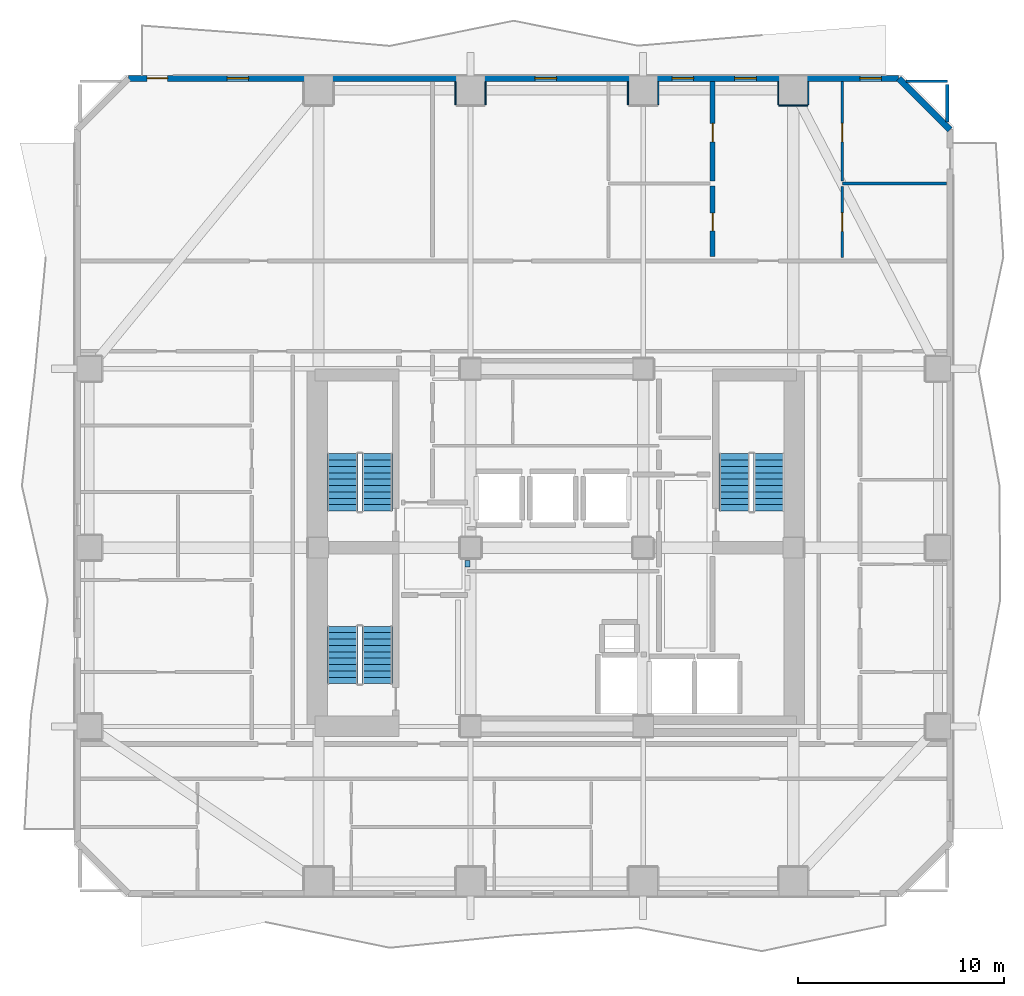
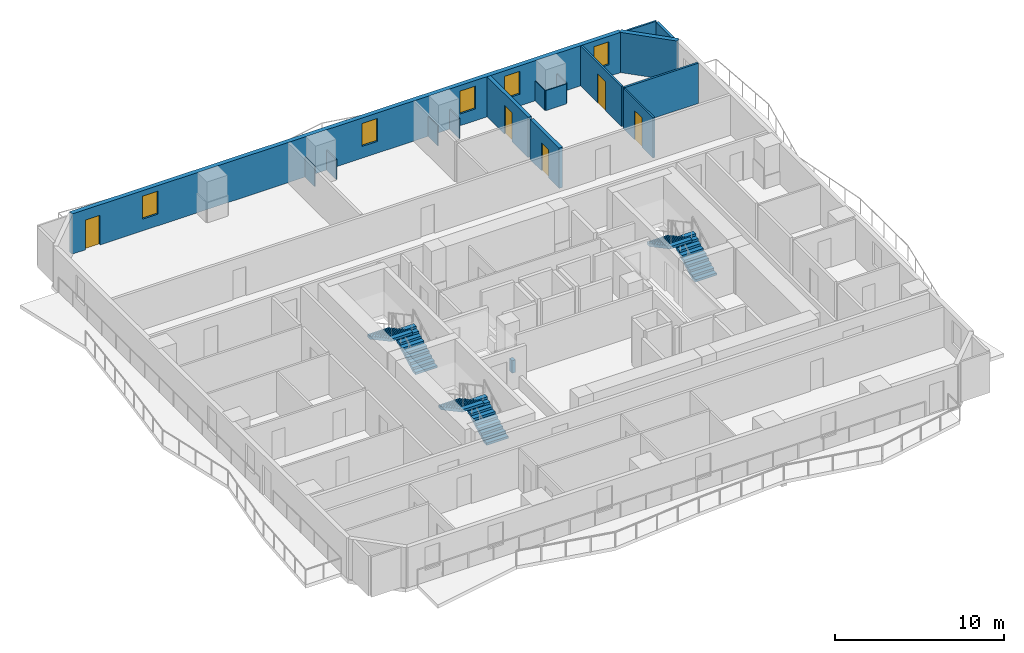
# One storey, part 6 of 10: 17 walls, 6 stair flights, 5 doors, 5 windows, 10 openings, 3 elements without a shape of their own.
"""IFC4 building model written with IfcOpenShell, lengths in metres."""

from ifc_helpers import new_model, si_unit, direction, frame, frame_2d, origin, place, context, subcontext, project, spatial, polyline, rectangle, outline, extrude, material, layer, layer_set, type_object, element, fill, aggregate, save


model = new_model("IFC4")

# Units and contexts
model_context = context("Model", 3, precision=1e-05, world=origin(), true_north=direction((0.0, 1.0)))
body_context = subcontext(model_context, "Body", "Model", "MODEL_VIEW")
ifc_project = project(units=[si_unit("LENGTHUNIT", "METRE"), si_unit("AREAUNIT", "SQUARE_METRE"), si_unit("VOLUMEUNIT", "CUBIC_METRE"), si_unit("PLANEANGLEUNIT", "RADIAN"), si_unit("MASSUNIT", "GRAM", prefix="KILO")], contexts=[model_context])

# Site, building, storey
site_placement = place(None, origin())
site = spatial("IfcSite", under=ifc_project, at=site_placement, CompositionType="ELEMENT")
building_placement = place(site_placement, origin())
building = spatial("IfcBuilding", under=site, at=building_placement, Name="Solanera Arch Residences", CompositionType="ELEMENT")
storey_placement = place(building_placement, frame((0.0, 0.0, 102.760009765625)))
storey = spatial("IfcBuildingStorey", under=building, at=storey_placement, Name="L29", CompositionType="ELEMENT", Elevation=102.760009765625)

# Walls
ifc_material_1 = material(Name="Fire-Rated Gypsum Stud Partition", Category="gypsum")
ifc_layer_1 = layer(ifc_material_1, 0.06005859375)
ifc_layer_set_1 = layer_set([ifc_layer_1], Name="Fire-Rated Gypsum Stud Partition")
wall_type_1 = type_object("IfcWallType", Name="Column Acoustic Furring Wall 60", PredefinedType="PARTITIONING", material=ifc_layer_set_1)
for number, where, z_axis, x_axis, name in (
    (1, (20.068115234375, 52.25, 0.0), (0.0, 0.0, 1.0), (0.0, 1.0, 0.0), "L29 Column Furring 12W"),
    (2, (21.531982421875, 52.25, 0.0), (0.0, 0.0, 1.0), (0.0, 1.0, 0.0), "L29 Column Furring 12E"),
    (3, (28.468017578125, 52.25, 0.0), (0.0, 0.0, 1.0), (0.0, 1.0, 0.0), "L29 Column Furring 14W"),
    (4, (29.931884765625, 52.25, 0.0), (0.0, 0.0, 1.0), (0.0, 1.0, 0.0), "L29 Column Furring 14E"),
):
    element("IfcWall", number, at=place(storey_placement, frame(where, z_axis=z_axis, x_axis=x_axis)), inside=storey, type_object=wall_type_1, Name=name, PredefinedType="PARTITIONING", context=body_context, shape_type="SweptSolid", body=[
        extrude(rectangle(XDim=1.1201171875, YDim=0.06005859375, at=frame_2d((0.56005859375, 0.0))), origin(), (0.0, 0.0, 1.0), 1.449951171875),
    ])
wall_1_placement = place(storey_placement, frame((35.800048828125, 52.218017578125, 0.0), z_axis=(0.0, 0.0, 1.0), x_axis=(1.0, 0.0, 0.0)))
element("IfcWall", 5, at=wall_1_placement, inside=storey, type_object=wall_type_1, Name="L29 Column Furring 16S", PredefinedType="PARTITIONING", context=body_context, shape_type="SweptSolid", body=[
    extrude(rectangle(XDim=1.39990234375, YDim=0.06005859375, at=frame_2d((0.699951171875, 0.0))), origin(), (0.0, 0.0, 1.0), 1.449951171875),
])
for number, where, z_axis, x_axis, name in (
    (6, (35.76806640625, 52.25, 0.0), (0.0, 0.0, 1.0), (0.0, 1.0, 0.0), "L29 Column Furring 16W"),
    (7, (37.23193359375, 52.25, 0.0), (0.0, 0.0, 1.0), (0.0, 1.0, 0.0), "L29 Column Furring 16E"),
):
    element("IfcWall", number, at=place(storey_placement, frame(where, z_axis=z_axis, x_axis=x_axis)), inside=storey, type_object=wall_type_1, Name=name, PredefinedType="PARTITIONING", context=body_context, shape_type="SweptSolid", body=[
        extrude(rectangle(XDim=1.1201171875, YDim=0.06005859375, at=frame_2d((0.56005859375, 0.0))), origin(), (0.0, 0.0, 1.0), 1.449951171875),
    ])
ifc_material_2 = material(Name="Autoclaved Aerated Concrete Blockwork", Category="masonry")
ifc_layer_2 = layer(ifc_material_2, 0.179931640625)
ifc_layer_set_2 = layer_set([ifc_layer_2], Name="Autoclaved Aerated Concrete Blockwork")
wall_type_2 = type_object("IfcWallType", Name="Corridor Fire Partition 180", PredefinedType="PARTITIONING", material=ifc_layer_set_2)
wall_2_placement = place(storey_placement, frame((44.0, 51.39892578125, 0.0), z_axis=(0.0, 0.0, 1.0), x_axis=(0.0, 1.0, 0.0)))
element("IfcWall", 8, at=wall_2_placement, inside=storey, type_object=wall_type_2, Name="L29 Interior Partition V15 2", PredefinedType="PARTITIONING", context=body_context, shape_type="SweptSolid", body=[
    extrude(rectangle(XDim=1.843017578125, YDim=0.179931640625, at=frame_2d((0.92138671875, 0.0))), origin(), (0.0, 0.0, 1.0), 2.89990234375),
])

# Wall, openings, door, windows
ifc_material_3 = material(Name="Precast Concrete C35/45", Category="concrete")
ifc_layer_3 = layer(ifc_material_3, 0.300048828125)
ifc_layer_set_3 = layer_set([ifc_layer_3], Name="Precast Concrete C35/45")
wall_type_3 = type_object("IfcWallType", Name="Exterior Wall Precast Masonry-Frame 300", PredefinedType="STANDARD", material=ifc_layer_set_3)
wall_3_placement = place(storey_placement, frame((4.1650390625, 53.534912109375, 0.0), z_axis=(0.0, 0.0, 1.0), x_axis=(1.0, 0.0, 0.0)))
wall_3 = element("IfcWall", 9, at=wall_3_placement, inside=storey, type_object=wall_type_3, Name="L29 Tower Exterior Precast Masonry-Frame Wall N", PredefinedType="STANDARD", context=body_context, shape_type="SweptSolid", body=[
    extrude(rectangle(XDim=37.469970703125, YDim=0.300048828125, at=frame_2d((18.73486328125, 0.0))), origin(), (0.0, 0.0, 1.0), 2.89990234375),
])
opening_1_placement = place(wall_3_placement, frame((0.90087890625, 0.0, 0.0)))
opening_1 = element("IfcOpeningElement", 10, at=opening_1_placement, cuts=wall_3, Name="Opening DB-01", PredefinedType="OPENING", context=body_context, shape_type="SweptSolid", body=[
    extrude(rectangle(XDim=1.0, YDim=2.14990234375, at=frame_2d((0.5, 1.074951171875))), frame((0.0, 0.159912109375, 0.0), z_axis=(0.0, -1.0, 0.0), x_axis=(1.0, 0.0, 0.0)), (0.0, 0.0, 1.0), 0.32),
])
opening_2_placement = place(wall_3_placement, frame((4.79296875, 0.0, 0.85009765625)))
opening_2 = element("IfcOpeningElement", 11, at=opening_2_placement, cuts=wall_3, Name="Opening W-07", PredefinedType="OPENING", context=body_context, shape_type="SweptSolid", body=[
    extrude(rectangle(XDim=1.050048828125, YDim=1.64990234375, at=frame_2d((0.52490234375, 0.824951171875))), frame((0.0, 0.159912109375, 0.0), z_axis=(0.0, -1.0, 0.0), x_axis=(1.0, 0.0, 0.0)), (0.0, 0.0, 1.0), 0.32),
])
opening_3_placement = place(wall_3_placement, frame((19.77001953125, 0.0, 0.85009765625)))
opening_3 = element("IfcOpeningElement", 12, at=opening_3_placement, cuts=wall_3, Name="Opening W-07", PredefinedType="OPENING", context=body_context, shape_type="SweptSolid", body=[
    extrude(rectangle(XDim=1.050048828125, YDim=1.64990234375, at=frame_2d((0.52490234375, 0.824951171875))), frame((0.0, 0.159912109375, 0.0), z_axis=(0.0, -1.0, 0.0), x_axis=(1.0, 0.0, 0.0)), (0.0, 0.0, 1.0), 0.32),
])
opening_4_placement = place(wall_3_placement, frame((29.491943359375, 0.0, 0.85009765625)))
opening_4 = element("IfcOpeningElement", 13, at=opening_4_placement, cuts=wall_3, Name="Opening W-07", PredefinedType="OPENING", context=body_context, shape_type="SweptSolid", body=[
    extrude(rectangle(XDim=1.050048828125, YDim=1.64990234375, at=frame_2d((0.52490234375, 0.824951171875))), frame((0.0, 0.159912109375, 0.0), z_axis=(0.0, -1.0, 0.0), x_axis=(1.0, 0.0, 0.0)), (0.0, 0.0, 1.0), 0.32),
])
opening_5_placement = place(wall_3_placement, frame((26.44189453125, 0.0, 0.85009765625)))
opening_5 = element("IfcOpeningElement", 14, at=opening_5_placement, cuts=wall_3, Name="Opening W-07", PredefinedType="OPENING", context=body_context, shape_type="SweptSolid", body=[
    extrude(rectangle(XDim=1.050048828125, YDim=1.64990234375, at=frame_2d((0.52490234375, 0.824951171875))), frame((0.0, 0.159912109375, 0.0), z_axis=(0.0, -1.0, 0.0), x_axis=(1.0, 0.0, 0.0)), (0.0, 0.0, 1.0), 0.32),
])
opening_6_placement = place(wall_3_placement, frame((35.577880859375, 0.0, 0.85009765625)))
opening_6 = element("IfcOpeningElement", 15, at=opening_6_placement, cuts=wall_3, Name="Opening W-07", PredefinedType="OPENING", context=body_context, shape_type="SweptSolid", body=[
    extrude(rectangle(XDim=1.050048828125, YDim=1.64990234375, at=frame_2d((0.52490234375, 0.824951171875))), frame((0.0, 0.159912109375, 0.0), z_axis=(0.0, -1.0, 0.0), x_axis=(1.0, 0.0, 0.0)), (0.0, 0.0, 1.0), 0.32),
])
ifc_material_4 = material(Name="Anodised Aluminium Alloy 6063-T6", Category="aluminium")
door_type_1 = type_object("IfcDoorType", Name="Glazed Balcony Swing Door DB-01", OperationType="NOTDEFINED", PredefinedType="DOOR", material=ifc_material_4)
door_1_placement = place(opening_1_placement, origin())
door_1 = element("IfcDoor", 16, at=door_1_placement, inside=storey, type_object=door_type_1, Name="DR-L29-OUT-02", OperationType="SINGLE_SWING_RIGHT", OverallHeight=2.14990234375, OverallWidth=1.0, PredefinedType="DOOR", context=body_context, shape_type="SweptSolid", body=[
    extrude(rectangle(XDim=1.0, YDim=2.14990234375, at=frame_2d((0.5, 1.074951171875))), frame((0.0, 0.02490234375, 0.0), z_axis=(0.0, -1.0, 0.0), x_axis=(1.0, 0.0, 0.0)), (0.0, 0.0, 1.0), 0.050048828125),
])
fill(opening_1, door_1)
ifc_material_5 = material(Name="Double Glazed Low-E Laminated Glass", Category="glass")
window_type = type_object("IfcWindowType", Name="Punched Window W-07", PartitioningType="SINGLE_PANEL", PredefinedType="WINDOW", material=ifc_material_5)
window_1_placement = place(opening_2_placement, origin())
window_1 = element("IfcWindow", 17, at=window_1_placement, inside=storey, type_object=window_type, Name="L29 AMN-MTG1 Punched Window", OverallHeight=1.64990234375, OverallWidth=1.050048828125, PartitioningType="SINGLE_PANEL", PredefinedType="WINDOW", context=body_context, shape_type="SweptSolid", body=[
    extrude(rectangle(XDim=1.050048828125, YDim=1.64990234375, at=frame_2d((0.52490234375, 0.824951171875))), frame((0.0, 0.030029296875, 0.0), z_axis=(0.0, -1.0, 0.0), x_axis=(1.0, 0.0, 0.0)), (0.0, 0.0, 1.0), 0.06005859375),
])
fill(opening_2, window_1)
window_2_placement = place(opening_3_placement, origin())
window_2 = element("IfcWindow", 18, at=window_2_placement, inside=storey, type_object=window_type, Name="L29 AMN-MTG2 Punched Window", OverallHeight=1.64990234375, OverallWidth=1.050048828125, PartitioningType="SINGLE_PANEL", PredefinedType="WINDOW", context=body_context, shape_type="SweptSolid", body=[
    extrude(rectangle(XDim=1.050048828125, YDim=1.64990234375, at=frame_2d((0.52490234375, 0.824951171875))), frame((0.0, 0.030029296875, 0.0), z_axis=(0.0, -1.0, 0.0), x_axis=(1.0, 0.0, 0.0)), (0.0, 0.0, 1.0), 0.06005859375),
])
fill(opening_3, window_2)
window_3_placement = place(opening_4_placement, origin())
window_3 = element("IfcWindow", 19, at=window_3_placement, inside=storey, type_object=window_type, Name="L29 2902-LIV Punched Window", OverallHeight=1.64990234375, OverallWidth=1.050048828125, PartitioningType="SINGLE_PANEL", PredefinedType="WINDOW", context=body_context, shape_type="SweptSolid", body=[
    extrude(rectangle(XDim=1.050048828125, YDim=1.64990234375, at=frame_2d((0.52490234375, 0.824951171875))), frame((0.0, 0.030029296875, 0.0), z_axis=(0.0, -1.0, 0.0), x_axis=(1.0, 0.0, 0.0)), (0.0, 0.0, 1.0), 0.06005859375),
])
fill(opening_4, window_3)
window_4_placement = place(opening_5_placement, origin())
window_4 = element("IfcWindow", 20, at=window_4_placement, inside=storey, type_object=window_type, Name="L29 2902-BR1 Punched Window", OverallHeight=1.64990234375, OverallWidth=1.050048828125, PartitioningType="SINGLE_PANEL", PredefinedType="WINDOW", context=body_context, shape_type="SweptSolid", body=[
    extrude(rectangle(XDim=1.050048828125, YDim=1.64990234375, at=frame_2d((0.52490234375, 0.824951171875))), frame((0.0, 0.030029296875, 0.0), z_axis=(0.0, -1.0, 0.0), x_axis=(1.0, 0.0, 0.0)), (0.0, 0.0, 1.0), 0.06005859375),
])
fill(opening_5, window_4)
window_5_placement = place(opening_6_placement, origin())
window_5 = element("IfcWindow", 21, at=window_5_placement, inside=storey, type_object=window_type, Name="L29 2902-BR2 Punched Window", OverallHeight=1.64990234375, OverallWidth=1.050048828125, PartitioningType="SINGLE_PANEL", PredefinedType="WINDOW", context=body_context, shape_type="SweptSolid", body=[
    extrude(rectangle(XDim=1.050048828125, YDim=1.64990234375, at=frame_2d((0.52490234375, 0.824951171875))), frame((0.0, 0.030029296875, 0.0), z_axis=(0.0, -1.0, 0.0), x_axis=(1.0, 0.0, 0.0)), (0.0, 0.0, 1.0), 0.06005859375),
])
fill(opening_6, window_5)

# Walls
wall_4_placement = place(storey_placement, frame((41.635009765625, 53.534912109375, 0.0), z_axis=(0.0, 0.0, 1.0), x_axis=(0.707106781187, -0.707106781187, 0.0)))
element("IfcWall", 22, at=wall_4_placement, inside=storey, type_object=wall_type_3, Name="L29 Tower Exterior Precast Masonry-Frame Wall CH3", PredefinedType="STANDARD", context=body_context, shape_type="SweptSolid", body=[
    extrude(rectangle(XDim=3.53564453125, YDim=0.300048828125, at=frame_2d((1.767822265625, 0.0))), origin(), (0.0, 0.0, 1.0), 2.89990234375),
])
ifc_material_6 = material(Name="Autoclaved Aerated Concrete Blockwork", Category="masonry")
ifc_layer_4 = layer(ifc_material_6, 0.239990234375)
ifc_layer_set_4 = layer_set([ifc_layer_4], Name="Autoclaved Aerated Concrete Blockwork")
wall_type_4 = type_object("IfcWallType", Name="Shaft Wall Fire-Rated 240", PredefinedType="PARTITIONING", material=ifc_layer_set_4)
wall_5_placement = place(storey_placement, frame((20.64990234375, 29.76806640625, 0.0), z_axis=(0.0, 0.0, 1.0), x_axis=(0.0, 1.0, 0.0)))
element("IfcWall", 23, at=wall_5_placement, inside=storey, type_object=wall_type_4, Name="L29 Interior Partition V3 2", PredefinedType="PARTITIONING", context=body_context, shape_type="SweptSolid", body=[
    extrude(rectangle(XDim=0.300048828125, YDim=0.239990234375, at=frame_2d((0.14990234375, 0.0))), origin(), (0.0, 0.0, 1.0), 0.905029296875),
])

# Wall, opening, door
wall_6_placement = place(storey_placement, frame((32.580078125, 44.867919921875, 0.0), z_axis=(0.0, 0.0, 1.0), x_axis=(0.0, 1.0, 0.0)))
wall_6 = element("IfcWall", 24, at=wall_6_placement, inside=storey, type_object=wall_type_4, Name="L29 Interior Partition V6 1", PredefinedType="PARTITIONING", context=body_context, shape_type="SweptSolid", body=[
    extrude(rectangle(XDim=3.421142578125, YDim=0.239990234375, at=frame_2d((1.71044921875, 0.0))), origin(), (0.0, 0.0, 1.0), 2.89990234375),
])
opening_7_placement = place(wall_6_placement, frame((1.24609375, 0.0, 0.0)))
opening_7 = element("IfcOpeningElement", 25, at=opening_7_placement, cuts=wall_6, Name="Opening DI-05", PredefinedType="OPENING", context=body_context, shape_type="SweptSolid", body=[
    extrude(rectangle(XDim=0.860107421875, YDim=2.02001953125, at=frame_2d((0.43017578125, 1.010009765625))), frame((0.0, 0.1298828125, 0.0), z_axis=(0.0, -1.0, 0.0), x_axis=(1.0, 0.0, 0.0)), (0.0, 0.0, 1.0), 0.26),
])
ifc_material_7 = material(Name="Fire-Rated Architectural Hardwood", Category="wood")
door_type_2 = type_object("IfcDoorType", Name="Bathroom Swing Door DI-05", OperationType="NOTDEFINED", PredefinedType="DOOR", material=ifc_material_7)
door_2_placement = place(opening_7_placement, origin())
door_2 = element("IfcDoor", 26, at=door_2_placement, inside=storey, type_object=door_type_2, Name="DR-L29-IN-027", OperationType="SINGLE_SWING_RIGHT", OverallHeight=2.02001953125, OverallWidth=0.860107421875, PredefinedType="DOOR", context=body_context, shape_type="SweptSolid", body=[
    extrude(rectangle(XDim=0.860107421875, YDim=2.02001953125, at=frame_2d((0.43017578125, 1.010009765625))), frame((0.0, 0.02490234375, 0.0), z_axis=(0.0, -1.0, 0.0), x_axis=(1.0, 0.0, 0.0)), (0.0, 0.0, 1.0), 0.050048828125),
])
fill(opening_7, door_2)

wall_7_placement = place(storey_placement, frame((32.580078125, 48.537109375, 0.0), z_axis=(0.0, 0.0, 1.0), x_axis=(0.0, 1.0, 0.0)))
wall_7 = element("IfcWall", 27, at=wall_7_placement, inside=storey, type_object=wall_type_4, Name="L29 Interior Partition V6 2", PredefinedType="PARTITIONING", context=body_context, shape_type="SweptSolid", body=[
    extrude(rectangle(XDim=4.8359375, YDim=0.239990234375, at=frame_2d((2.41796875, 0.0))), origin(), (0.0, 0.0, 1.0), 2.89990234375),
])
opening_8_placement = place(wall_7_placement, frame((1.906982421875, 0.0, 0.0)))
opening_8 = element("IfcOpeningElement", 28, at=opening_8_placement, cuts=wall_7, Name="Opening DI-03", PredefinedType="OPENING", context=body_context, shape_type="SweptSolid", body=[
    extrude(rectangle(XDim=0.89990234375, YDim=2.10009765625, at=frame_2d((0.449951171875, 1.050048828125))), frame((0.0, 0.1298828125, 0.0), z_axis=(0.0, -1.0, 0.0), x_axis=(1.0, 0.0, 0.0)), (0.0, 0.0, 1.0), 0.26),
])
ifc_material_8 = material(Name="Fire-Rated Architectural Hardwood", Category="wood")
door_type_3 = type_object("IfcDoorType", Name="Bedroom Swing Door DI-03", OperationType="NOTDEFINED", PredefinedType="DOOR", material=ifc_material_8)
door_3_placement = place(opening_8_placement, origin())
door_3 = element("IfcDoor", 29, at=door_3_placement, inside=storey, type_object=door_type_3, Name="DR-L29-IN-028", OperationType="SINGLE_SWING_LEFT", OverallHeight=2.10009765625, OverallWidth=0.89990234375, PredefinedType="DOOR", context=body_context, shape_type="SweptSolid", body=[
    extrude(rectangle(XDim=0.89990234375, YDim=2.10009765625, at=frame_2d((0.449951171875, 1.050048828125))), frame((0.0, 0.02490234375, 0.0), z_axis=(0.0, -1.0, 0.0), x_axis=(1.0, 0.0, 0.0)), (0.0, 0.0, 1.0), 0.050048828125),
])
fill(opening_8, door_3)

# Wall
ifc_material_9 = material(Name="Fire-Rated Gypsum Stud Partition", Category="gypsum")
ifc_layer_5 = layer(ifc_material_9, 0.1201171875)
ifc_layer_set_5 = layer_set([ifc_layer_5], Name="Fire-Rated Gypsum Stud Partition")
wall_type_5 = type_object("IfcWallType", Name="Unit Drywall Partition 120", PredefinedType="PARTITIONING", material=ifc_layer_set_5)
wall_8_placement = place(storey_placement, frame((41.9990234375, 53.39990234375, 0.0), z_axis=(0.0, 0.0, 1.0), x_axis=(1.0, 0.0, 0.0)))
element("IfcWall", 30, at=wall_8_placement, inside=storey, type_object=wall_type_5, Name="L29 Interior Partition H26 2", PredefinedType="PARTITIONING", context=body_context, shape_type="SweptSolid", body=[
    extrude(rectangle(XDim=2.0009765625, YDim=0.1201171875, at=frame_2d((1.00048828125, 0.0))), origin(), (0.0, 0.0, 1.0), 2.89990234375),
])

# Wall, opening, door
wall_9_placement = place(storey_placement, frame((38.89111328125, 44.80810546875, 0.0), z_axis=(0.0, 0.0, 1.0), x_axis=(0.0, 1.0, 0.0)))
wall_9 = element("IfcWall", 31, at=wall_9_placement, inside=storey, type_object=wall_type_5, Name="L29 Interior Partition V23 1", PredefinedType="PARTITIONING", context=body_context, shape_type="SweptSolid", body=[
    extrude(rectangle(XDim=3.466796875, YDim=0.1201171875, at=frame_2d((1.7333984375, 0.0))), origin(), (0.0, 0.0, 1.0), 2.89990234375),
])
opening_9_placement = place(wall_9_placement, frame((1.285888671875, 0.0, 0.0)))
opening_9 = element("IfcOpeningElement", 32, at=opening_9_placement, cuts=wall_9, Name="Opening DI-02", PredefinedType="OPENING", context=body_context, shape_type="SweptSolid", body=[
    extrude(rectangle(XDim=0.89990234375, YDim=2.10009765625, at=frame_2d((0.449951171875, 1.050048828125))), frame((0.0, 0.070068359375, 0.0), z_axis=(0.0, -1.0, 0.0), x_axis=(1.0, 0.0, 0.0)), (0.0, 0.0, 1.0), 0.1401),
])
ifc_material_10 = material(Name="Fire-Rated Architectural Hardwood", Category="wood")
door_type_4 = type_object("IfcDoorType", Name="Suite Room Swing Door DI-02", OperationType="NOTDEFINED", PredefinedType="DOOR", material=ifc_material_10)
door_4_placement = place(opening_9_placement, origin())
door_4 = element("IfcDoor", 33, at=door_4_placement, inside=storey, type_object=door_type_4, Name="DR-L29-IN-029", OperationType="SINGLE_SWING_RIGHT", OverallHeight=2.10009765625, OverallWidth=0.89990234375, PredefinedType="DOOR", context=body_context, shape_type="SweptSolid", body=[
    extrude(rectangle(XDim=0.89990234375, YDim=2.10009765625, at=frame_2d((0.449951171875, 1.050048828125))), frame((0.0, 0.02490234375, 0.0), z_axis=(0.0, -1.0, 0.0), x_axis=(1.0, 0.0, 0.0)), (0.0, 0.0, 1.0), 0.050048828125),
])
fill(opening_9, door_4)

wall_10_placement = place(storey_placement, frame((38.89111328125, 48.551025390625, 0.0), z_axis=(0.0, 0.0, 1.0), x_axis=(0.0, 1.0, 0.0)))
wall_10 = element("IfcWall", 34, at=wall_10_placement, inside=storey, type_object=wall_type_5, Name="L29 Interior Partition V23 2", PredefinedType="PARTITIONING", context=body_context, shape_type="SweptSolid", body=[
    extrude(rectangle(XDim=4.822021484375, YDim=0.1201171875, at=frame_2d((2.4111328125, 0.0))), origin(), (0.0, 0.0, 1.0), 2.89990234375),
])
opening_10_placement = place(wall_10_placement, frame((1.89306640625, 0.0, 0.0)))
opening_10 = element("IfcOpeningElement", 35, at=opening_10_placement, cuts=wall_10, Name="Opening DI-03", PredefinedType="OPENING", context=body_context, shape_type="SweptSolid", body=[
    extrude(rectangle(XDim=0.89990234375, YDim=2.10009765625, at=frame_2d((0.449951171875, 1.050048828125))), frame((0.0, 0.070068359375, 0.0), z_axis=(0.0, -1.0, 0.0), x_axis=(1.0, 0.0, 0.0)), (0.0, 0.0, 1.0), 0.1401),
])
door_5_placement = place(opening_10_placement, origin())
door_5 = element("IfcDoor", 36, at=door_5_placement, inside=storey, type_object=door_type_3, Name="DR-L29-IN-030", OperationType="SINGLE_SWING_LEFT", OverallHeight=2.10009765625, OverallWidth=0.89990234375, PredefinedType="DOOR", context=body_context, shape_type="SweptSolid", body=[
    extrude(rectangle(XDim=0.89990234375, YDim=2.10009765625, at=frame_2d((0.449951171875, 1.050048828125))), frame((0.0, 0.02490234375, 0.0), z_axis=(0.0, -1.0, 0.0), x_axis=(1.0, 0.0, 0.0)), (0.0, 0.0, 1.0), 0.050048828125),
])
fill(opening_10, door_5)

# Wall
ifc_material_11 = material(Name="Autoclaved Aerated Concrete Blockwork", Category="masonry")
ifc_layer_6 = layer(ifc_material_11, 0.139892578125)
ifc_layer_set_6 = layer_set([ifc_layer_6], Name="Autoclaved Aerated Concrete Blockwork")
wall_type_6 = type_object("IfcWallType", Name="Wet-Room Partition 140", PredefinedType="PARTITIONING", material=ifc_layer_set_6)
wall_11_placement = place(storey_placement, frame((38.89111328125, 48.4130859375, 0.0), z_axis=(0.0, 0.0, 1.0), x_axis=(1.0, 0.0, 0.0)))
element("IfcWall", 37, at=wall_11_placement, inside=storey, type_object=wall_type_6, Name="L29 Interior Partition H20", PredefinedType="PARTITIONING", context=body_context, shape_type="SweptSolid", body=[
    extrude(rectangle(XDim=5.081787109375, YDim=0.139892578125, at=frame_2d((2.541015625, 0.0))), origin(), (0.0, 0.0, 1.0), 2.89990234375),
])

# Stair, stair flights
ifc_material_12 = material(Name="Concrete C40/50 (f'c = 45 MPa)", Category="concrete")
stair_type = type_object("IfcStairType", Name="Tower Dogleg Exit Stair 1480", PredefinedType="HALF_TURN_STAIR", material=ifc_material_12)
stair_1_placement = place(storey_placement, origin())
stair_1 = element("IfcStair", 38, at=stair_1_placement, inside=storey, type_object=stair_type, Name="L29 Tower Core Exit Stair 1", PredefinedType="HALF_TURN_STAIR")
ifc_material_13 = material(Name="Concrete C40/50 (f'c = 45 MPa)", Category="concrete")
stair_flight_type = type_object("IfcStairFlightType", Name="Tower Precast Stair Flight 1480", PredefinedType="STRAIGHT", material=ifc_material_13)
stair_flight_1_placement = place(storey_placement, frame((16.260009765625, 32.47998046875, 0.0), z_axis=(0.0, 0.0, 1.0), x_axis=(0.0, 1.0, 0.0)))
stair_flight_1 = element("IfcStairFlight", 39, at=stair_flight_1_placement, type_object=stair_flight_type, Name="ST-T1 flight 1", NumberOfRisers=10, NumberOfTreads=9, PredefinedType="STRAIGHT", RiserHeight=0.166, TreadLength=0.31, context=body_context, shape_type="SweptSolid", body=[
    extrude(outline(polyline([(0.0, 0.0), (0.0, 0.166015625), (0.31005859375, 0.166015625), (0.31005859375, 0.33203125), (0.6201171875, 0.33203125), (0.6201171875, 0.498046875), (0.929931640625, 0.498046875), (0.929931640625, 0.6640625), (1.239990234375, 0.6640625), (1.239990234375, 0.830078125), (1.550048828125, 0.830078125), (1.550048828125, 0.99609375), (1.860107421875, 0.99609375), (1.860107421875, 1.162109375), (2.169921875, 1.162109375), (2.169921875, 1.327880859375), (2.47998046875, 1.327880859375), (2.47998046875, 1.493896484375), (2.7900390625, 1.493896484375), (2.7900390625, 1.659912109375), (2.7900390625, 1.323974609375), (0.317626953125, 0.0), (0.0, 0.0)])), frame((0.0, 0.739990234375, 0.0), z_axis=(0.0, -1.0, 0.0), x_axis=(1.0, 0.0, 0.0)), (0.0, 0.0, 1.0), 1.47998046875),
])
stair_flight_2_placement = place(storey_placement, frame((14.580078125, 35.27001953125, 1.659912109375), z_axis=(0.0, 0.0, 1.0), x_axis=(0.0, -1.0, 0.0)))
stair_flight_2 = element("IfcStairFlight", 40, at=stair_flight_2_placement, type_object=stair_flight_type, Name="ST-T1 flight 2", NumberOfRisers=10, NumberOfTreads=9, PredefinedType="STRAIGHT", RiserHeight=0.166, TreadLength=0.31, context=body_context, shape_type="SweptSolid", body=[
    extrude(outline(polyline([(0.0, 0.0), (0.0, 0.166015625), (0.31005859375, 0.166015625), (0.31005859375, 0.33203125), (0.6201171875, 0.33203125), (0.6201171875, 0.498046875), (0.929931640625, 0.498046875), (0.929931640625, 0.6640625), (1.239990234375, 0.6640625), (1.239990234375, 0.830078125), (1.550048828125, 0.830078125), (1.550048828125, 0.99609375), (1.860107421875, 0.99609375), (1.860107421875, 1.162109375), (2.169921875, 1.162109375), (2.169921875, 1.327880859375), (2.47998046875, 1.327880859375), (2.47998046875, 1.493896484375), (2.7900390625, 1.493896484375), (2.7900390625, 1.659912109375), (2.7900390625, 1.323974609375), (0.317626953125, 0.0), (0.0, 0.0)])), frame((0.0, 0.739990234375, 0.0), z_axis=(0.0, -1.0, 0.0), x_axis=(1.0, 0.0, 0.0)), (0.0, 0.0, 1.0), 1.47998046875),
])
aggregate(stair_1, [stair_flight_1, stair_flight_2])

stair_2_placement = place(storey_placement, origin())
stair_2 = element("IfcStair", 41, at=stair_2_placement, inside=storey, type_object=stair_type, Name="L29 Tower Core Exit Stair 2", PredefinedType="HALF_TURN_STAIR")
stair_flight_3_placement = place(storey_placement, frame((35.320068359375, 32.47998046875, 0.0), z_axis=(0.0, 0.0, 1.0), x_axis=(0.0, 1.0, 0.0)))
stair_flight_3 = element("IfcStairFlight", 42, at=stair_flight_3_placement, type_object=stair_flight_type, Name="ST-T2 flight 1", NumberOfRisers=10, NumberOfTreads=9, PredefinedType="STRAIGHT", RiserHeight=0.166, TreadLength=0.31, context=body_context, shape_type="SweptSolid", body=[
    extrude(outline(polyline([(0.0, 0.0), (0.0, 0.166015625), (0.31005859375, 0.166015625), (0.31005859375, 0.33203125), (0.6201171875, 0.33203125), (0.6201171875, 0.498046875), (0.929931640625, 0.498046875), (0.929931640625, 0.6640625), (1.239990234375, 0.6640625), (1.239990234375, 0.830078125), (1.550048828125, 0.830078125), (1.550048828125, 0.99609375), (1.860107421875, 0.99609375), (1.860107421875, 1.162109375), (2.169921875, 1.162109375), (2.169921875, 1.327880859375), (2.47998046875, 1.327880859375), (2.47998046875, 1.493896484375), (2.7900390625, 1.493896484375), (2.7900390625, 1.659912109375), (2.7900390625, 1.323974609375), (0.317626953125, 0.0), (0.0, 0.0)])), frame((0.0, 0.739990234375, 0.0), z_axis=(0.0, -1.0, 0.0), x_axis=(1.0, 0.0, 0.0)), (0.0, 0.0, 1.0), 1.47998046875),
])
stair_flight_4_placement = place(storey_placement, frame((33.639892578125, 35.27001953125, 1.659912109375), z_axis=(0.0, 0.0, 1.0), x_axis=(0.0, -1.0, 0.0)))
stair_flight_4 = element("IfcStairFlight", 43, at=stair_flight_4_placement, type_object=stair_flight_type, Name="ST-T2 flight 2", NumberOfRisers=10, NumberOfTreads=9, PredefinedType="STRAIGHT", RiserHeight=0.166, TreadLength=0.31, context=body_context, shape_type="SweptSolid", body=[
    extrude(outline(polyline([(0.0, 0.0), (0.0, 0.166015625), (0.31005859375, 0.166015625), (0.31005859375, 0.33203125), (0.6201171875, 0.33203125), (0.6201171875, 0.498046875), (0.929931640625, 0.498046875), (0.929931640625, 0.6640625), (1.239990234375, 0.6640625), (1.239990234375, 0.830078125), (1.550048828125, 0.830078125), (1.550048828125, 0.99609375), (1.860107421875, 0.99609375), (1.860107421875, 1.162109375), (2.169921875, 1.162109375), (2.169921875, 1.327880859375), (2.47998046875, 1.327880859375), (2.47998046875, 1.493896484375), (2.7900390625, 1.493896484375), (2.7900390625, 1.659912109375), (2.7900390625, 1.323974609375), (0.317626953125, 0.0), (0.0, 0.0)])), frame((0.0, 0.739990234375, 0.0), z_axis=(0.0, -1.0, 0.0), x_axis=(1.0, 0.0, 0.0)), (0.0, 0.0, 1.0), 1.47998046875),
])
aggregate(stair_2, [stair_flight_3, stair_flight_4])

stair_3_placement = place(storey_placement, origin())
stair_3 = element("IfcStair", 44, at=stair_3_placement, inside=storey, type_object=stair_type, Name="L29 Tower Core Exit Stair 3", PredefinedType="HALF_TURN_STAIR")
stair_flight_5_placement = place(storey_placement, frame((16.260009765625, 24.080078125, 0.0), z_axis=(0.0, 0.0, 1.0), x_axis=(0.0, 1.0, 0.0)))
stair_flight_5 = element("IfcStairFlight", 45, at=stair_flight_5_placement, type_object=stair_flight_type, Name="ST-T3 flight 1", NumberOfRisers=10, NumberOfTreads=9, PredefinedType="STRAIGHT", RiserHeight=0.166, TreadLength=0.31, context=body_context, shape_type="SweptSolid", body=[
    extrude(outline(polyline([(0.0, 0.0), (0.0, 0.166015625), (0.31005859375, 0.166015625), (0.31005859375, 0.33203125), (0.6201171875, 0.33203125), (0.6201171875, 0.498046875), (0.929931640625, 0.498046875), (0.929931640625, 0.6640625), (1.239990234375, 0.6640625), (1.239990234375, 0.830078125), (1.550048828125, 0.830078125), (1.550048828125, 0.99609375), (1.860107421875, 0.99609375), (1.860107421875, 1.162109375), (2.169921875, 1.162109375), (2.169921875, 1.327880859375), (2.47998046875, 1.327880859375), (2.47998046875, 1.493896484375), (2.7900390625, 1.493896484375), (2.7900390625, 1.659912109375), (2.7900390625, 1.323974609375), (0.317626953125, 0.0), (0.0, 0.0)])), frame((0.0, 0.739990234375, 0.0), z_axis=(0.0, -1.0, 0.0), x_axis=(1.0, 0.0, 0.0)), (0.0, 0.0, 1.0), 1.47998046875),
])
stair_flight_6_placement = place(storey_placement, frame((14.580078125, 26.8701171875, 1.659912109375), z_axis=(0.0, 0.0, 1.0), x_axis=(0.0, -1.0, 0.0)))
stair_flight_6 = element("IfcStairFlight", 46, at=stair_flight_6_placement, type_object=stair_flight_type, Name="ST-T3 flight 2", NumberOfRisers=10, NumberOfTreads=9, PredefinedType="STRAIGHT", RiserHeight=0.166, TreadLength=0.31, context=body_context, shape_type="SweptSolid", body=[
    extrude(outline(polyline([(0.0, 0.0), (0.0, 0.166015625), (0.31005859375, 0.166015625), (0.31005859375, 0.33203125), (0.6201171875, 0.33203125), (0.6201171875, 0.498046875), (0.929931640625, 0.498046875), (0.929931640625, 0.6640625), (1.239990234375, 0.6640625), (1.239990234375, 0.830078125), (1.550048828125, 0.830078125), (1.550048828125, 0.99609375), (1.860107421875, 0.99609375), (1.860107421875, 1.162109375), (2.169921875, 1.162109375), (2.169921875, 1.327880859375), (2.47998046875, 1.327880859375), (2.47998046875, 1.493896484375), (2.7900390625, 1.493896484375), (2.7900390625, 1.659912109375), (2.7900390625, 1.323974609375), (0.317626953125, 0.0), (0.0, 0.0)])), frame((0.0, 0.739990234375, 0.0), z_axis=(0.0, -1.0, 0.0), x_axis=(1.0, 0.0, 0.0)), (0.0, 0.0, 1.0), 1.47998046875),
])
aggregate(stair_3, [stair_flight_5, stair_flight_6])

save(model, "model.ifc")
